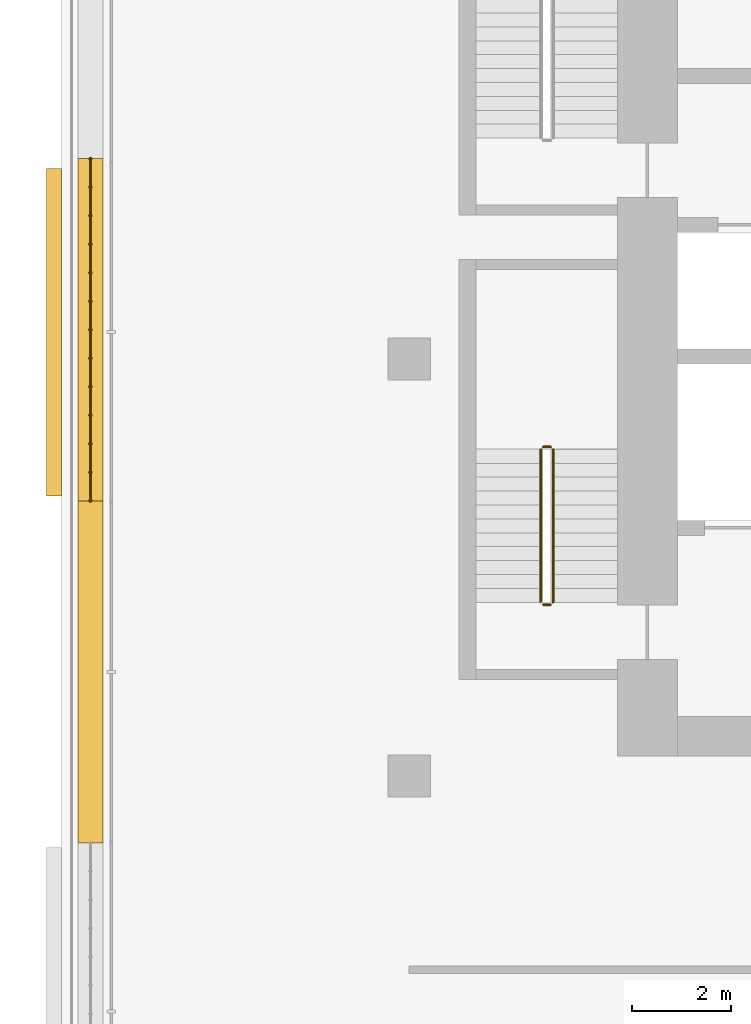
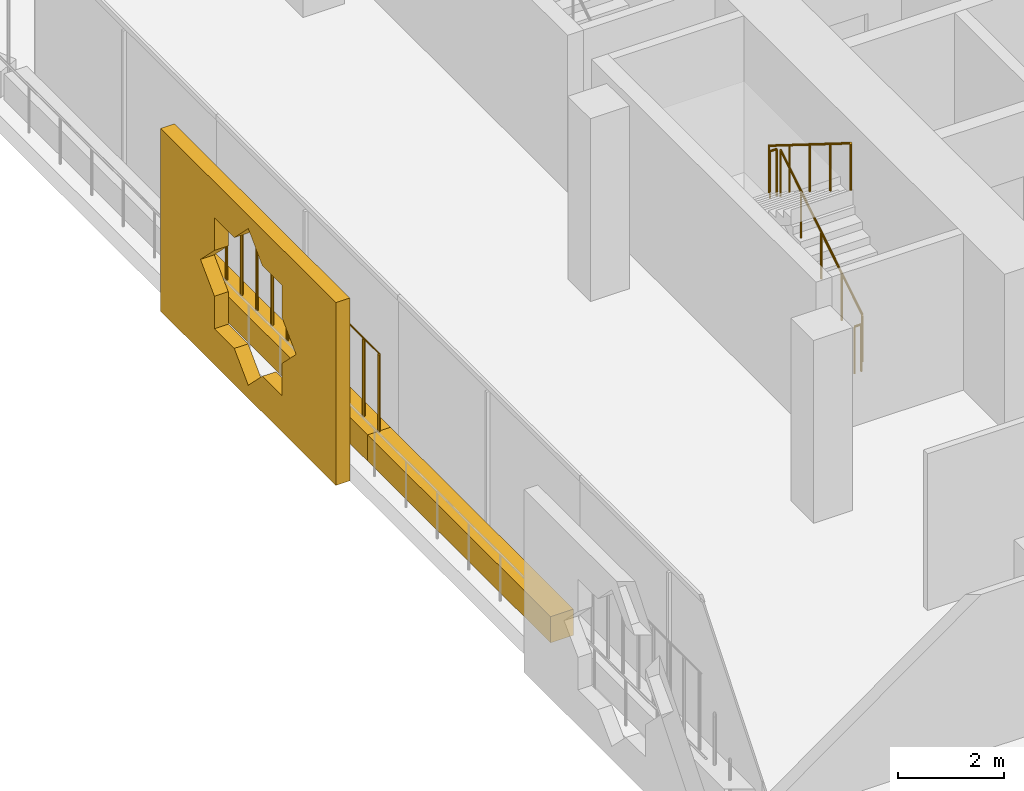
# One storey, part 15 of 21: 5 railings, 3 coverings.
"""IFC4 building model written with IfcOpenShell, lengths in metres."""

from ifc_helpers import new_model, si_unit, direction, frame, origin, origin_2d, place, context, subcontext, project, spatial, polyline, rectangle, circle, outline, extrude, material, material_profile, profile_set, type_object, element, save


model = new_model("IFC4")

# Units and contexts
model_context = context("Model", 3, precision=1e-05, world=origin(), true_north=direction((0.0, 1.0)))
body_context = subcontext(model_context, "Body", "Model", "MODEL_VIEW")
ifc_project = project(units=[si_unit("LENGTHUNIT", "METRE"), si_unit("AREAUNIT", "SQUARE_METRE"), si_unit("VOLUMEUNIT", "CUBIC_METRE"), si_unit("PLANEANGLEUNIT", "RADIAN"), si_unit("MASSUNIT", "GRAM", prefix="KILO")], contexts=[model_context])

# Site, building, storey
site_placement = place(None, origin())
site = spatial("IfcSite", under=ifc_project, at=site_placement, CompositionType="ELEMENT")
building_placement = place(site_placement, origin())
building = spatial("IfcBuilding", under=site, at=building_placement, Name="Kawkab Arch Medical Tower", CompositionType="ELEMENT")
storey_placement = place(building_placement, frame((0.0, 0.0, 264.199951171875)))
storey = spatial("IfcBuildingStorey", under=building, at=storey_placement, Name="L61", CompositionType="ELEMENT", Elevation=264.199951171875)

# Coverings
ifc_material_1 = material(Name="Bronze anodised aluminium mashrabiya panel, eight-point star pattern", Category="aluminium")
ifc_material_profile_1 = material_profile(ifc_material_1, outline(polyline([(-3.300048828125, -2.10009765625), (3.300048828125, -2.10009765625), (3.300048828125, 2.10009765625), (-3.300048828125, 2.10009765625), (-3.300048828125, -2.10009765625)]), holes=[polyline([(1.800048828125, 0.0), (1.272705078125, 0.527099609375), (1.272705078125, 1.272705078125), (0.527099609375, 1.272705078125), (0.0, 1.800048828125), (-0.527099609375, 1.272705078125), (-1.272705078125, 1.272705078125), (-1.272705078125, 0.527099609375), (-1.800048828125, 0.0), (-1.272705078125, -0.527099609375), (-1.272705078125, -1.272705078125), (-0.527099609375, -1.272705078125), (0.0, -1.800048828125), (0.527099609375, -1.272705078125), (1.272705078125, -1.272705078125), (1.272705078125, -0.527099609375), (1.800048828125, 0.0)])]), Name="Mashrabiya panel 6600x4200")
ifc_profile_set_1 = profile_set([ifc_material_profile_1], Name="Bronze anodised aluminium mashrabiya panel, eight-point star pattern")
covering_type_1 = type_object("IfcCoveringType", Name="Mashrabiya panel 6600 x 4200", PredefinedType="USERDEFINED", material=ifc_profile_set_1)
covering_1_placement = place(storey_placement, frame((-7.0, -16.259033203125, 1.699951171875), z_axis=(-1.0, 0.0, 0.0), x_axis=(0.0, -1.0, 0.0)))
element("IfcCovering", 1, at=covering_1_placement, inside=storey, type_object=covering_type_1, Name="Mashrabiya panel L61.LOG-01-01.4", ObjectType="SCREEN", PredefinedType="USERDEFINED", context=body_context, shape_type="SweptSolid", body=[
    extrude(outline(polyline([(-3.300048828125, -2.10009765625), (3.300048828125, -2.10009765625), (3.300048828125, 2.10009765625), (-3.300048828125, 2.10009765625), (-3.300048828125, -2.10009765625)]), holes=[polyline([(1.800048828125, 0.0), (1.272705078125, 0.527099609375), (1.272705078125, 1.272705078125), (0.527099609375, 1.272705078125), (0.0, 1.800048828125), (-0.527099609375, 1.272705078125), (-1.272705078125, 1.272705078125), (-1.272705078125, 0.527099609375), (-1.800048828125, 0.0), (-1.272705078125, -0.527099609375), (-1.272705078125, -1.272705078125), (-0.527099609375, -1.272705078125), (0.0, -1.800048828125), (0.527099609375, -1.272705078125), (1.272705078125, -1.272705078125), (1.272705078125, -0.527099609375), (1.800048828125, 0.0)])]), origin(), (0.0, 0.0, 1.0), 0.300048828125),
])
ifc_material_2 = material(Name="Planting soil in a precast trough", Category="concrete")
ifc_material_profile_2 = material_profile(ifc_material_2, rectangle(XDim=0.5, YDim=0.60009765625, at=origin_2d()), Name="Trough 500x600")
ifc_profile_set_2 = profile_set([ifc_material_profile_2], Name="Planting soil in a precast trough")
covering_type_2 = type_object("IfcCoveringType", Name="Planter trough 500 x 600", PredefinedType="USERDEFINED", material=ifc_profile_set_2)
covering_2_placement = place(storey_placement, frame((-6.419921875, -26.544921875, 0.300048828125), z_axis=(0.0, 1.0, 0.0), x_axis=(-1.0, 0.0, 0.0)))
element("IfcCovering", 2, at=covering_2_placement, inside=storey, type_object=covering_type_2, Name="Planter L61.LOG-01-01.10", ObjectType="PLANTER", PredefinedType="USERDEFINED", context=body_context, shape_type="SweptSolid", body=[
    extrude(rectangle(XDim=0.5, YDim=0.60009765625, at=origin_2d()), origin(), (0.0, 0.0, 1.0), 6.889892578125),
])
covering_3_placement = place(storey_placement, frame((-6.419921875, -19.655029296875, 0.300048828125), z_axis=(0.0, 1.0, 0.0), x_axis=(-1.0, 0.0, 0.0)))
element("IfcCovering", 3, at=covering_3_placement, inside=storey, type_object=covering_type_2, Name="Planter L61.LOG-01-01.11", ObjectType="PLANTER", PredefinedType="USERDEFINED", context=body_context, shape_type="SweptSolid", body=[
    extrude(rectangle(XDim=0.5, YDim=0.60009765625, at=origin_2d()), origin(), (0.0, 0.0, 1.0), 6.89111328125),
])

# Railings
ifc_material_3 = material(Name="Bronze anodised aluminium trellis for climbing plants", Category="aluminium")
railing_type_1 = type_object("IfcRailingType", Name="Planting trellis 2400", PredefinedType="USERDEFINED", material=ifc_material_3)
railing_1_placement = place(storey_placement, frame((-6.419921875, -19.655029296875, 0.0)))
element("IfcRailing", 4, at=railing_1_placement, inside=storey, type_object=railing_type_1, Name="Planting trellis L61.LOG-01-01.11", ObjectType="TRELLIS", PredefinedType="USERDEFINED", context=body_context, shape_type="SweptSolid", body=[
    extrude(circle(Radius=0.01513671875, at=origin_2d()), frame((0.0, 0.0, 2.384765625), z_axis=(0.0, 1.0, 0.0), x_axis=(-1.0, 0.0, 0.0)), (0.0, 0.0, 1.0), 6.89111328125),
    extrude(circle(Radius=0.030029296875, at=origin_2d()), origin(), (0.0, 0.0, 1.0), 2.369873046875),
    extrude(circle(Radius=0.030029296875, at=origin_2d()), frame((0.0, 0.57421875, 0.0)), (0.0, 0.0, 1.0), 2.369873046875),
    extrude(circle(Radius=0.030029296875, at=origin_2d()), frame((0.0, 1.1484375, 0.0)), (0.0, 0.0, 1.0), 2.369873046875),
    extrude(circle(Radius=0.030029296875, at=origin_2d()), frame((0.0, 1.72265625, 0.0)), (0.0, 0.0, 1.0), 2.369873046875),
    extrude(circle(Radius=0.030029296875, at=origin_2d()), frame((0.0, 2.297119140625, 0.0)), (0.0, 0.0, 1.0), 2.369873046875),
    extrude(circle(Radius=0.030029296875, at=origin_2d()), frame((0.0, 2.871337890625, 0.0)), (0.0, 0.0, 1.0), 2.369873046875),
    extrude(circle(Radius=0.030029296875, at=origin_2d()), frame((0.0, 3.445556640625, 0.0)), (0.0, 0.0, 1.0), 2.369873046875),
    extrude(circle(Radius=0.030029296875, at=origin_2d()), frame((0.0, 4.019775390625, 0.0)), (0.0, 0.0, 1.0), 2.369873046875),
    extrude(circle(Radius=0.030029296875, at=origin_2d()), frame((0.0, 4.593994140625, 0.0)), (0.0, 0.0, 1.0), 2.369873046875),
    extrude(circle(Radius=0.030029296875, at=origin_2d()), frame((0.0, 5.16845703125, 0.0)), (0.0, 0.0, 1.0), 2.369873046875),
    extrude(circle(Radius=0.030029296875, at=origin_2d()), frame((0.0, 5.74267578125, 0.0)), (0.0, 0.0, 1.0), 2.369873046875),
    extrude(circle(Radius=0.030029296875, at=origin_2d()), frame((0.0, 6.31689453125, 0.0)), (0.0, 0.0, 1.0), 2.369873046875),
    extrude(circle(Radius=0.030029296875, at=origin_2d()), frame((0.0, 6.89111328125, 0.0)), (0.0, 0.0, 1.0), 2.369873046875),
])
ifc_material_4 = material(Name="Stainless steel", Category="steel")
railing_type_2 = type_object("IfcRailingType", Name="Stair guard 1100", PredefinedType="GUARDRAIL", material=ifc_material_4)
railing_2_placement = place(storey_placement, frame((2.89990234375, -21.699951171875, 0.175048828125)))
element("IfcRailing", 5, at=railing_2_placement, inside=storey, type_object=railing_type_2, Name="L61 ST2 stair guard 1", PredefinedType="GUARDRAIL", context=body_context, shape_type="SweptSolid", body=[
    extrude(circle(Radius=0.02392578125, at=origin_2d()), frame((0.0, 0.0, 1.076171875), z_axis=(0.0, 0.847979421464, 0.530029150871), x_axis=(-1.0, 0.0, 0.0)), (0.0, 0.0, 1.0), 3.632080078125),
    extrude(circle(Radius=0.02099609375, at=origin_2d()), origin(), (0.0, 0.0, 1.0), 1.052001953125),
    extrude(circle(Radius=0.02099609375, at=origin_2d()), frame((0.0, 0.77001953125, 0.481201171875)), (0.0, 0.0, 1.0), 1.052001953125),
    extrude(circle(Radius=0.02099609375, at=origin_2d()), frame((0.0, 1.5400390625, 0.96240234375)), (0.0, 0.0, 1.0), 1.052001953125),
    extrude(circle(Radius=0.02099609375, at=origin_2d()), frame((0.0, 2.309814453125, 1.44384765625)), (0.0, 0.0, 1.0), 1.052001953125),
    extrude(circle(Radius=0.02099609375, at=origin_2d()), frame((0.0, 3.079833984375, 1.925048828125)), (0.0, 0.0, 1.0), 1.052001953125),
])
railing_3_placement = place(storey_placement, frame((2.85009765625, -18.570068359375, 2.10009765625)))
element("IfcRailing", 6, at=railing_3_placement, inside=storey, type_object=railing_type_2, Name="L61 ST2 stair guard 2", PredefinedType="GUARDRAIL", context=body_context, shape_type="SweptSolid", body=[
    extrude(circle(Radius=0.02392578125, at=origin_2d()), frame((0.0, 0.0, 1.076171875), z_axis=(-1.0, 0.0, 0.0), x_axis=(0.0, -1.0, 0.0)), (0.0, 0.0, 1.0), 0.150146484375),
    extrude(circle(Radius=0.02099609375, at=origin_2d()), origin(), (0.0, 0.0, 1.0), 1.052001953125),
    extrude(circle(Radius=0.02099609375, at=origin_2d()), frame((-0.150146484375, 0.0, 0.0)), (0.0, 0.0, 1.0), 1.052001953125),
])
railing_4_placement = place(storey_placement, frame((2.64990234375, -18.6201171875, 2.275146484375)))
element("IfcRailing", 7, at=railing_4_placement, inside=storey, type_object=railing_type_2, Name="L61 ST2 stair guard 3", PredefinedType="GUARDRAIL", context=body_context, shape_type="SweptSolid", body=[
    extrude(circle(Radius=0.02392578125, at=origin_2d()), frame((0.0, 0.0, 1.076171875), z_axis=(0.0, -0.848009633417, 0.529980812513), x_axis=(1.0, 0.0, 0.0)), (0.0, 0.0, 1.0), 3.6318359375),
    extrude(circle(Radius=0.02099609375, at=origin_2d()), origin(), (0.0, 0.0, 1.0), 1.052001953125),
    extrude(circle(Radius=0.02099609375, at=origin_2d()), frame((0.0, -0.77001953125, 0.481201171875)), (0.0, 0.0, 1.0), 1.052001953125),
    extrude(circle(Radius=0.02099609375, at=origin_2d()), frame((0.0, -1.5400390625, 0.96240234375)), (0.0, 0.0, 1.0), 1.052001953125),
    extrude(circle(Radius=0.02099609375, at=origin_2d()), frame((0.0, -2.309814453125, 1.443603515625)), (0.0, 0.0, 1.0), 1.052001953125),
    extrude(circle(Radius=0.02099609375, at=origin_2d()), frame((0.0, -3.079833984375, 1.9248046875)), (0.0, 0.0, 1.0), 1.052001953125),
])
railing_5_placement = place(storey_placement, frame((2.85009765625, -21.75, 0.0)))
element("IfcRailing", 8, at=railing_5_placement, inside=storey, type_object=railing_type_2, Name="L61 ST2 stair guard 4", PredefinedType="GUARDRAIL", context=body_context, shape_type="SweptSolid", body=[
    extrude(circle(Radius=0.02392578125, at=origin_2d()), frame((0.0, 0.0, 1.076171875), z_axis=(-1.0, 0.0, 0.0), x_axis=(0.0, -1.0, 0.0)), (0.0, 0.0, 1.0), 0.150146484375),
    extrude(circle(Radius=0.02099609375, at=origin_2d()), origin(), (0.0, 0.0, 1.0), 1.052001953125),
    extrude(circle(Radius=0.02099609375, at=origin_2d()), frame((-0.150146484375, 0.0, 0.0)), (0.0, 0.0, 1.0), 1.052001953125),
])

save(model, "model.ifc")
